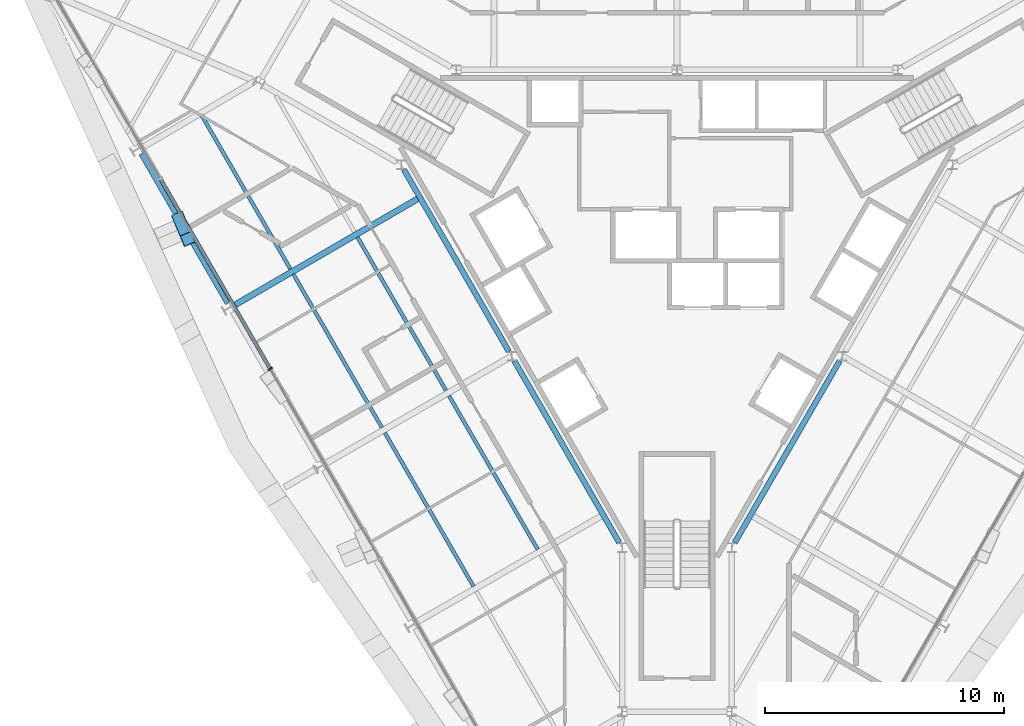
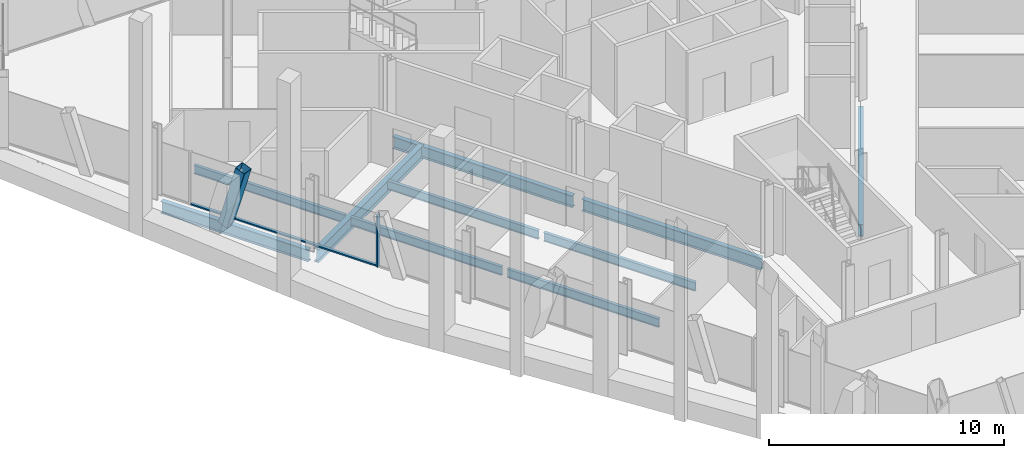
# One storey, part 3 of 13: 10 beams, 3 members, 1 element without a shape of its own.
"""IFC4 building model written with IfcOpenShell, lengths in metres."""

from ifc_helpers import new_model, si_unit, direction, frame, origin, origin_2d, place, context, subcontext, project, spatial, rectangle, hollow_rectangle, i_section, extrude, material, material_profile, profile_set, type_object, element, aggregate, save


model = new_model("IFC4")

# Units and contexts
model_context = context("Model", 3, precision=1e-05, world=origin(), true_north=direction((0.0, 1.0)))
body_context = subcontext(model_context, "Body", "Model", "MODEL_VIEW")
ifc_project = project(units=[si_unit("LENGTHUNIT", "METRE"), si_unit("AREAUNIT", "SQUARE_METRE"), si_unit("VOLUMEUNIT", "CUBIC_METRE"), si_unit("PLANEANGLEUNIT", "RADIAN"), si_unit("MASSUNIT", "GRAM", prefix="KILO")], contexts=[model_context])

# Site, building, storey
site_placement = place(None, origin())
site = spatial("IfcSite", under=ifc_project, at=site_placement, CompositionType="ELEMENT")
building_placement = place(site_placement, origin())
building = spatial("IfcBuilding", under=site, at=building_placement, Name="Verrane Prism Tower", CompositionType="ELEMENT")
storey_placement = place(building_placement, frame((0.0, 0.0, 159.89990234375)))
storey = spatial("IfcBuildingStorey", under=building, at=storey_placement, Name="L39", CompositionType="ELEMENT", Elevation=159.89990234375)

# Beams
ifc_material_1 = material(Name="Steel A992", Category="steel")
ifc_material_profile_1 = material_profile(ifc_material_1, i_section(OverallWidth=0.23046875, OverallDepth=0.6171875, WebThickness=0.01318359375, FlangeThickness=0.022216796875, FilletRadius=0.012939453125, at=origin_2d()), Name="W24x94")
ifc_profile_set_1 = profile_set([ifc_material_profile_1], Name="Steel A992")
beam_type_1 = type_object("IfcBeamType", Name="Core ring girder W24x94", PredefinedType="BEAM", material=ifc_profile_set_1)
beam_1_placement = place(storey_placement, frame((-11.44482421875, 3.820556640625, -0.55859375), z_axis=(0.499967414725, -0.866044216084, 0.0), x_axis=(0.866044216084, 0.499967414725, 0.0)))
element("IfcBeam", 1, at=beam_1_placement, inside=storey, type_object=beam_type_1, Name="Core ring girder L39", PredefinedType="BEAM", context=body_context, shape_type="SweptSolid", body=[
    extrude(i_section(OverallWidth=0.23046875, OverallDepth=0.6171875, WebThickness=0.01318359375, FlangeThickness=0.022216796875, FilletRadius=0.012939453125, at=origin_2d()), origin(), (0.0, 0.0, 1.0), 8.7998046875),
])
for number, where, z_axis, x_axis, name in (
    (2, (-6.81494140625, -4.199462890625, -0.55859375), (0.499988222896, -0.866032203192, 0.0), (0.866032203192, 0.499988222896, 0.0), "Core ring girder L39"),
    (3, (2.4150390625, -11.820556640625, -0.55859375), (0.499988222896, 0.866032203192, 0.0), (-0.866032203192, 0.499988222896, 0.0), "Core ring girder L39"),
):
    element("IfcBeam", number, at=place(storey_placement, frame(where, z_axis=z_axis, x_axis=x_axis)), inside=storey, type_object=beam_type_1, Name=name, PredefinedType="BEAM", context=body_context, shape_type="SweptSolid", body=[
        extrude(i_section(OverallWidth=0.23046875, OverallDepth=0.6171875, WebThickness=0.01318359375, FlangeThickness=0.022216796875, FilletRadius=0.012939453125, at=origin_2d()), origin(), (0.0, 0.0, 1.0), 8.800048828125),
    ])

# Member
ifc_material_2 = material(Name="Steel A500 Grade C", Category="steel")
ifc_material_profile_2 = material_profile(ifc_material_2, hollow_rectangle(XDim=0.508056640625, YDim=0.508056640625, WallThickness=0.01904296875, InnerFilletRadius=0.009521484375, OuterFilletRadius=0.028564453125, at=origin_2d()), Name="HSS20x20x3/4")
ifc_profile_set_2 = profile_set([ifc_material_profile_2], Name="Steel A500 Grade C")
member_type_1 = type_object("IfcMemberType", Name="Facade brace HSS20x20x3/4", PredefinedType="BRACE", material=ifc_profile_set_2)
member_1_placement = place(storey_placement, frame((-20.87109375, 1.764892578125, -0.216552734375), z_axis=(0.107938717074, -0.256161836374, 0.960588541958), x_axis=(0.921530994703, 0.388304810429, 0.0)))
element("IfcMember", 4, at=member_1_placement, inside=storey, type_object=member_type_1, Name="Facade brace SW1 L39", PredefinedType="BRACE", context=body_context, shape_type="SweptSolid", body=[
    extrude(hollow_rectangle(XDim=0.508056640625, YDim=0.508056640625, WallThickness=0.01904296875, InnerFilletRadius=0.009521484375, OuterFilletRadius=0.028564453125, at=origin_2d()), origin(), (0.0, 0.0, 1.0), 3.3271484375),
])

# Beams
ifc_material_3 = material(Name="Steel A992", Category="steel")
ifc_material_profile_3 = material_profile(ifc_material_3, i_section(OverallWidth=0.15234375, OverallDepth=0.449462890625, WebThickness=0.007568359375, FlangeThickness=0.0107421875, FilletRadius=0.01025390625, at=origin_2d()), Name="W18x35")
ifc_profile_set_3 = profile_set([ifc_material_profile_3], Name="Steel A992")
beam_type_2 = type_object("IfcBeamType", Name="Floor beam W18x35", PredefinedType="BEAM", material=ifc_profile_set_3)
beam_2_placement = place(storey_placement, frame((-16.206787109375, -0.340087890625, -0.384765625), z_axis=(-0.50000040832, 0.866025168041, 0.0), x_axis=(-0.866025168041, -0.50000040832, 0.0)))
element("IfcBeam", 5, at=beam_2_placement, inside=storey, type_object=beam_type_2, Name="Floor beam L39", PredefinedType="BEAM", context=body_context, shape_type="SweptSolid", body=[
    extrude(i_section(OverallWidth=0.15234375, OverallDepth=0.449462890625, WebThickness=0.007568359375, FlangeThickness=0.0107421875, FilletRadius=0.01025390625, at=origin_2d()), origin(), (0.0, 0.0, 1.0), 7.42578125),
])
for number, where, z_axis, x_axis, name in (
    (6, (-9.680419921875, -5.440185546875, -0.384765625), (-0.499979562871, 0.866037202845, 0.0), (-0.866037202845, -0.499979562871, 0.0), "Floor beam L39"),
    (7, (-12.3671875, -6.990234375, -0.384765625), (-0.499979562871, 0.866037202845, 0.0), (-0.866037202845, -0.499979562871, 0.0), "Floor beam L39"),
):
    element("IfcBeam", number, at=place(storey_placement, frame(where, z_axis=z_axis, x_axis=x_axis)), inside=storey, type_object=beam_type_2, Name=name, PredefinedType="BEAM", context=body_context, shape_type="SweptSolid", body=[
        extrude(i_section(OverallWidth=0.15234375, OverallDepth=0.449462890625, WebThickness=0.007568359375, FlangeThickness=0.0107421875, FilletRadius=0.01025390625, at=origin_2d()), origin(), (0.0, 0.0, 1.0), 7.425048828125),
    ])
beam_3_placement = place(storey_placement, frame((-5.837646484375, -12.098388671875, -0.384765625), z_axis=(-0.499996323716, 0.866027526278, 0.0), x_axis=(-0.866027526278, -0.499996323716, 0.0)))
element("IfcBeam", 8, at=beam_3_placement, inside=storey, type_object=beam_type_2, Name="Floor beam L39", PredefinedType="BEAM", context=body_context, shape_type="SweptSolid", body=[
    extrude(i_section(OverallWidth=0.15234375, OverallDepth=0.449462890625, WebThickness=0.007568359375, FlangeThickness=0.0107421875, FilletRadius=0.01025390625, at=origin_2d()), origin(), (0.0, 0.0, 1.0), 7.43359375),
])
beam_4_placement = place(storey_placement, frame((-8.525390625, -13.6494140625, -0.384765625), z_axis=(-0.500006734102, 0.866021515814, 0.0), x_axis=(-0.866021515814, -0.500006734102, 0.0)))
element("IfcBeam", 9, at=beam_4_placement, inside=storey, type_object=beam_type_2, Name="Floor beam L39", PredefinedType="BEAM", context=body_context, shape_type="SweptSolid", body=[
    extrude(i_section(OverallWidth=0.15234375, OverallDepth=0.449462890625, WebThickness=0.007568359375, FlangeThickness=0.0107421875, FilletRadius=0.01025390625, at=origin_2d()), origin(), (0.0, 0.0, 1.0), 7.43408203125),
])

# Curtain wall, member
ifc_material_4 = material(Name="Aluminium framed insulated glazing", Category="aluminium")
curtain_wall_type = type_object("IfcCurtainWallType", Name="Curtain wall CW-A 8400 module", PredefinedType="NOTDEFINED", material=ifc_material_4)
curtain_wall_placement = place(storey_placement, origin())
curtain_wall = element("IfcCurtainWall", 10, at=curtain_wall_placement, inside=storey, type_object=curtain_wall_type, Name="Glazed curtain wall south-west face L39", PredefinedType="NOTDEFINED")
ifc_material_5 = material(Name="Aluminium alloy 6063-T6", Category="aluminium")
ifc_material_profile_4 = material_profile(ifc_material_5, rectangle(XDim=0.199951171875, YDim=0.070068359375, at=origin_2d()), Name="Mullion 70x200 aluminium")
ifc_profile_set_4 = profile_set([ifc_material_profile_4], Name="Aluminium alloy 6063-T6")
member_type_2 = type_object("IfcMemberType", Name="Mullion 70x200 aluminium", PredefinedType="MULLION", material=ifc_profile_set_4)
member_2_placement = place(storey_placement, frame((-17.0498046875, -4.531005859375, 0.0), z_axis=(0.0, 0.0, 1.0), x_axis=(0.86602596468, 0.499999028499, 0.0)))
member_2 = element("IfcMember", 11, at=member_2_placement, type_object=member_type_2, Name="CW39.4 mullion 3", PredefinedType="MULLION", context=body_context, shape_type="SweptSolid", body=[
    extrude(rectangle(XDim=0.199951171875, YDim=0.070068359375, at=origin_2d()), origin(), (0.0, 0.0, 1.0), 2.712890625),
])

# Beams
ifc_material_6 = material(Name="Steel A992", Category="steel")
ifc_material_profile_5 = material_profile(ifc_material_6, i_section(OverallWidth=0.25390625, OverallDepth=0.683349609375, WebThickness=0.012451171875, FlangeThickness=0.01904296875, FilletRadius=0.01513671875, at=origin_2d()), Name="W27x94")
ifc_profile_set_5 = profile_set([ifc_material_profile_5], Name="Steel A992")
beam_type_3 = type_object("IfcBeamType", Name="Radial girder W27x94", PredefinedType="BEAM", material=ifc_profile_set_5)
beam_5_placement = place(storey_placement, frame((-18.53173828125, -1.85302734375, -0.5615234375), z_axis=(0.864802283896, 0.502112546914, 0.0), x_axis=(-0.502112546914, 0.864802283896, 0.0)))
element("IfcBeam", 12, at=beam_5_placement, inside=storey, type_object=beam_type_3, Name="Radial girder L39", PredefinedType="BEAM", context=body_context, shape_type="SweptSolid", body=[
    extrude(i_section(OverallWidth=0.25390625, OverallDepth=0.683349609375, WebThickness=0.012451171875, FlangeThickness=0.01904296875, FilletRadius=0.01513671875, at=origin_2d()), origin(), (0.0, 0.0, 1.0), 8.974365234375),
])
ifc_material_7 = material(Name="Steel A992", Category="steel")
ifc_material_profile_6 = material_profile(ifc_material_7, i_section(OverallWidth=0.23046875, OverallDepth=0.6171875, WebThickness=0.01318359375, FlangeThickness=0.022216796875, FilletRadius=0.012939453125, at=origin_2d()), Name="W24x94")
ifc_profile_set_6 = profile_set([ifc_material_profile_6], Name="Steel A992")
beam_type_4 = type_object("IfcBeamType", Name="Spandrel beam W24x94", PredefinedType="SPANDREL", material=ifc_profile_set_6)
beam_6_placement = place(storey_placement, frame((-22.445068359375, 4.49169921875, -0.468505859375), z_axis=(0.499929530379, -0.866066085617, 0.0), x_axis=(0.866066085617, 0.499929530379, 0.0)))
element("IfcBeam", 13, at=beam_6_placement, inside=storey, type_object=beam_type_4, Name="Spandrel beam L39", PredefinedType="SPANDREL", context=body_context, shape_type="SweptSolid", body=[
    extrude(i_section(OverallWidth=0.23046875, OverallDepth=0.6171875, WebThickness=0.01318359375, FlangeThickness=0.022216796875, FilletRadius=0.012939453125, at=origin_2d()), origin(), (0.0, 0.0, 1.0), 7.24609375),
])

# Member
ifc_material_8 = material(Name="Aluminium alloy 6063-T6", Category="aluminium")
ifc_material_profile_7 = material_profile(ifc_material_8, rectangle(XDim=0.14990234375, YDim=0.070068359375, at=origin_2d()), Name="Transom 70x150 aluminium")
ifc_profile_set_7 = profile_set([ifc_material_profile_7], Name="Aluminium alloy 6063-T6")
member_type_3 = type_object("IfcMemberType", Name="Transom 70x150 aluminium", PredefinedType="USERDEFINED", material=ifc_profile_set_7)
member_3_placement = place(storey_placement, frame((-21.633056640625, 3.407470703125, 0.03515625), z_axis=(0.500009425886, -0.866019961678, 0.0), x_axis=(0.866019961678, 0.500009425886, 0.0)))
member_3 = element("IfcMember", 14, at=member_3_placement, type_object=member_type_3, Name="CW39.4 transom 2", ObjectType="TRANSOM", PredefinedType="USERDEFINED", context=body_context, shape_type="SweptSolid", body=[
    extrude(rectangle(XDim=0.14990234375, YDim=0.070068359375, at=origin_2d()), origin(), (0.0, 0.0, 1.0), 9.131591796875),
])

aggregate(curtain_wall, [member_2, member_3])

save(model, "model.ifc")
